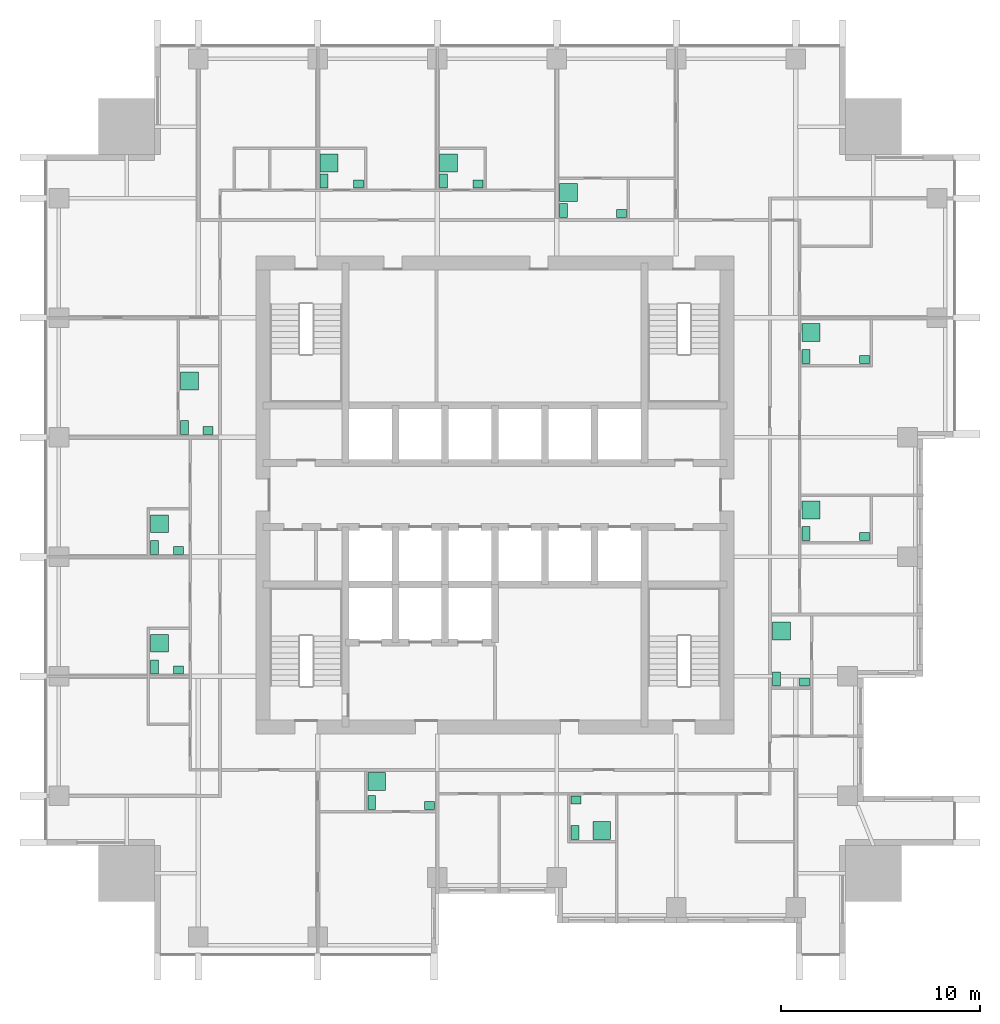
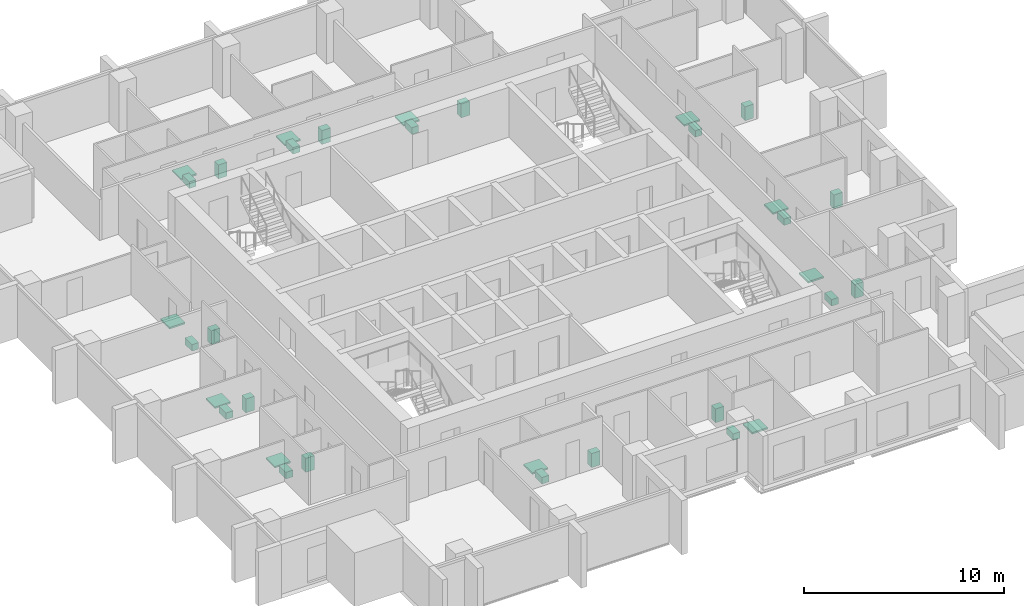
# One storey, part 10 of 10: 33 sanitary terminals.
"""IFC4 building model written with IfcOpenShell, lengths in metres."""

from ifc_helpers import new_model, si_unit, direction, frame, origin, origin_2d, place, context, subcontext, project, spatial, rectangle, extrude, element, save


model = new_model("IFC4")

# Units and contexts
model_context = context("Model", 3, precision=1e-05, world=origin(), true_north=direction((0.0, 1.0)))
body_context = subcontext(model_context, "Body", "Model", "MODEL_VIEW")
ifc_project = project(units=[si_unit("LENGTHUNIT", "METRE"), si_unit("AREAUNIT", "SQUARE_METRE"), si_unit("VOLUMEUNIT", "CUBIC_METRE"), si_unit("PLANEANGLEUNIT", "RADIAN"), si_unit("MASSUNIT", "GRAM", prefix="KILO")], contexts=[model_context])

# Site, building, storey
site_placement = place(None, origin())
site = spatial("IfcSite", under=ifc_project, at=site_placement, CompositionType="ELEMENT")
building_placement = place(site_placement, origin())
building = spatial("IfcBuilding", under=site, at=building_placement, Name="Amberfall Residences", CompositionType="ELEMENT")
storey_placement = place(building_placement, frame((0.0, 0.0, 137.199951171875)))
storey = spatial("IfcBuildingStorey", under=building, at=storey_placement, Name="L36", CompositionType="ELEMENT", Elevation=137.199951171875)

# Sanitary terminals
sanitary_terminal_1_placement = place(storey_placement, frame((68.31005859375, 30.06005859375, 0.0), z_axis=(0.0, 0.0, 1.0), x_axis=(1.0, 0.0, 0.0)))
element("IfcSanitaryTerminal", 1, at=sanitary_terminal_1_placement, inside=storey, Name="Water closet 3601", PredefinedType="TOILETPAN", context=body_context, shape_type="SweptSolid", body=[
    extrude(rectangle(XDim=0.39990234375, YDim=0.699951171875, at=origin_2d()), origin(), (0.0, 0.0, 1.0), 0.39990234375),
])
sanitary_terminal_2_placement = place(storey_placement, frame((71.215087890625, 29.909912109375, 0.0), z_axis=(0.0, 0.0, 1.0), x_axis=(1.0, 0.0, 0.0)))
element("IfcSanitaryTerminal", 2, at=sanitary_terminal_2_placement, inside=storey, Name="Basin 3601", PredefinedType="WASHHANDBASIN", context=body_context, shape_type="SweptSolid", body=[
    extrude(rectangle(XDim=0.5, YDim=0.39990234375, at=origin_2d()), origin(), (0.0, 0.0, 1.0), 0.85009765625),
])
sanitary_terminal_3_placement = place(storey_placement, frame((68.56005859375, 31.114990234375, 0.0), z_axis=(0.0, 0.0, 1.0), x_axis=(1.0, 0.0, 0.0)))
element("IfcSanitaryTerminal", 3, at=sanitary_terminal_3_placement, inside=storey, Name="Shower tray 3601", PredefinedType="SHOWER", context=body_context, shape_type="SweptSolid", body=[
    extrude(rectangle(XDim=0.89990234375, YDim=0.89990234375, at=origin_2d()), origin(), (0.0, 0.0, 1.0), 0.10009765625),
])
sanitary_terminal_4_placement = place(storey_placement, frame((78.510009765625, 28.56005859375, 0.0), z_axis=(0.0, 0.0, 1.0), x_axis=(1.0, 0.0, 0.0)))
element("IfcSanitaryTerminal", 4, at=sanitary_terminal_4_placement, inside=storey, Name="Water closet 3602", PredefinedType="TOILETPAN", context=body_context, shape_type="SweptSolid", body=[
    extrude(rectangle(XDim=0.39990234375, YDim=0.699951171875, at=origin_2d()), origin(), (0.0, 0.0, 1.0), 0.39990234375),
])
sanitary_terminal_5_placement = place(storey_placement, frame((78.56005859375, 30.18994140625, 0.0), z_axis=(0.0, 0.0, 1.0), x_axis=(1.0, 0.0, 0.0)))
element("IfcSanitaryTerminal", 5, at=sanitary_terminal_5_placement, inside=storey, Name="Basin 3602", PredefinedType="WASHHANDBASIN", context=body_context, shape_type="SweptSolid", body=[
    extrude(rectangle(XDim=0.5, YDim=0.39990234375, at=origin_2d()), origin(), (0.0, 0.0, 1.0), 0.85009765625),
])
sanitary_terminal_6_placement = place(storey_placement, frame((79.857177734375, 28.659912109375, 0.0), z_axis=(0.0, 0.0, 1.0), x_axis=(1.0, 0.0, 0.0)))
element("IfcSanitaryTerminal", 6, at=sanitary_terminal_6_placement, inside=storey, Name="Shower tray 3602", PredefinedType="SHOWER", context=body_context, shape_type="SweptSolid", body=[
    extrude(rectangle(XDim=0.89990234375, YDim=0.89990234375, at=origin_2d()), origin(), (0.0, 0.0, 1.0), 0.10009765625),
])
sanitary_terminal_7_placement = place(storey_placement, frame((88.635009765625, 36.260009765625, 0.0), z_axis=(0.0, 0.0, 1.0), x_axis=(1.0, 0.0, 0.0)))
element("IfcSanitaryTerminal", 7, at=sanitary_terminal_7_placement, inside=storey, Name="Water closet 3603", PredefinedType="TOILETPAN", context=body_context, shape_type="SweptSolid", body=[
    extrude(rectangle(XDim=0.39990234375, YDim=0.699951171875, at=origin_2d()), origin(), (0.0, 0.0, 1.0), 0.39990234375),
])
sanitary_terminal_8_placement = place(storey_placement, frame((90.0400390625, 36.110107421875, 0.0), z_axis=(0.0, 0.0, 1.0), x_axis=(1.0, 0.0, 0.0)))
element("IfcSanitaryTerminal", 8, at=sanitary_terminal_8_placement, inside=storey, Name="Basin 3603", PredefinedType="WASHHANDBASIN", context=body_context, shape_type="SweptSolid", body=[
    extrude(rectangle(XDim=0.5, YDim=0.39990234375, at=origin_2d()), origin(), (0.0, 0.0, 1.0), 0.85009765625),
])
sanitary_terminal_9_placement = place(storey_placement, frame((88.885009765625, 38.6826171875, 0.0), z_axis=(0.0, 0.0, 1.0), x_axis=(1.0, 0.0, 0.0)))
element("IfcSanitaryTerminal", 9, at=sanitary_terminal_9_placement, inside=storey, Name="Shower tray 3603", PredefinedType="SHOWER", context=body_context, shape_type="SweptSolid", body=[
    extrude(rectangle(XDim=0.89990234375, YDim=0.89990234375, at=origin_2d()), origin(), (0.0, 0.0, 1.0), 0.10009765625),
])
sanitary_terminal_10_placement = place(storey_placement, frame((90.110107421875, 43.56005859375, 0.0), z_axis=(0.0, 0.0, 1.0), x_axis=(1.0, 0.0, 0.0)))
element("IfcSanitaryTerminal", 10, at=sanitary_terminal_10_placement, inside=storey, Name="Water closet 3604", PredefinedType="TOILETPAN", context=body_context, shape_type="SweptSolid", body=[
    extrude(rectangle(XDim=0.39990234375, YDim=0.699951171875, at=origin_2d()), origin(), (0.0, 0.0, 1.0), 0.39990234375),
])
sanitary_terminal_11_placement = place(storey_placement, frame((93.0400390625, 43.409912109375, 0.0), z_axis=(0.0, 0.0, 1.0), x_axis=(1.0, 0.0, 0.0)))
element("IfcSanitaryTerminal", 11, at=sanitary_terminal_11_placement, inside=storey, Name="Basin 3604", PredefinedType="WASHHANDBASIN", context=body_context, shape_type="SweptSolid", body=[
    extrude(rectangle(XDim=0.5, YDim=0.39990234375, at=origin_2d()), origin(), (0.0, 0.0, 1.0), 0.85009765625),
])
sanitary_terminal_12_placement = place(storey_placement, frame((90.360107421875, 44.757080078125, 0.0), z_axis=(0.0, 0.0, 1.0), x_axis=(1.0, 0.0, 0.0)))
element("IfcSanitaryTerminal", 12, at=sanitary_terminal_12_placement, inside=storey, Name="Shower tray 3604", PredefinedType="SHOWER", context=body_context, shape_type="SweptSolid", body=[
    extrude(rectangle(XDim=0.89990234375, YDim=0.89990234375, at=origin_2d()), origin(), (0.0, 0.0, 1.0), 0.10009765625),
])
sanitary_terminal_13_placement = place(storey_placement, frame((90.110107421875, 52.4599609375, 0.0), z_axis=(0.0, 0.0, 1.0), x_axis=(1.0, 0.0, 0.0)))
element("IfcSanitaryTerminal", 13, at=sanitary_terminal_13_placement, inside=storey, Name="Water closet 3604", PredefinedType="TOILETPAN", context=body_context, shape_type="SweptSolid", body=[
    extrude(rectangle(XDim=0.39990234375, YDim=0.699951171875, at=origin_2d()), origin(), (0.0, 0.0, 1.0), 0.39990234375),
])
sanitary_terminal_14_placement = place(storey_placement, frame((93.0400390625, 52.31005859375, 0.0), z_axis=(0.0, 0.0, 1.0), x_axis=(1.0, 0.0, 0.0)))
element("IfcSanitaryTerminal", 14, at=sanitary_terminal_14_placement, inside=storey, Name="Basin 3604", PredefinedType="WASHHANDBASIN", context=body_context, shape_type="SweptSolid", body=[
    extrude(rectangle(XDim=0.5, YDim=0.39990234375, at=origin_2d()), origin(), (0.0, 0.0, 1.0), 0.85009765625),
])
sanitary_terminal_15_placement = place(storey_placement, frame((90.360107421875, 53.6572265625, 0.0), z_axis=(0.0, 0.0, 1.0), x_axis=(1.0, 0.0, 0.0)))
element("IfcSanitaryTerminal", 15, at=sanitary_terminal_15_placement, inside=storey, Name="Shower tray 3604", PredefinedType="SHOWER", context=body_context, shape_type="SweptSolid", body=[
    extrude(rectangle(XDim=0.89990234375, YDim=0.89990234375, at=origin_2d()), origin(), (0.0, 0.0, 1.0), 0.10009765625),
])
sanitary_terminal_16_placement = place(storey_placement, frame((65.909912109375, 61.260009765625, 0.0), z_axis=(0.0, 0.0, 1.0), x_axis=(1.0, 0.0, 0.0)))
element("IfcSanitaryTerminal", 16, at=sanitary_terminal_16_placement, inside=storey, Name="Water closet 3605", PredefinedType="TOILETPAN", context=body_context, shape_type="SweptSolid", body=[
    extrude(rectangle(XDim=0.39990234375, YDim=0.699951171875, at=origin_2d()), origin(), (0.0, 0.0, 1.0), 0.39990234375),
])
sanitary_terminal_17_placement = place(storey_placement, frame((67.639892578125, 61.110107421875, 0.0), z_axis=(0.0, 0.0, 1.0), x_axis=(1.0, 0.0, 0.0)))
element("IfcSanitaryTerminal", 17, at=sanitary_terminal_17_placement, inside=storey, Name="Basin 3605", PredefinedType="WASHHANDBASIN", context=body_context, shape_type="SweptSolid", body=[
    extrude(rectangle(XDim=0.5, YDim=0.39990234375, at=origin_2d()), origin(), (0.0, 0.0, 1.0), 0.85009765625),
])
sanitary_terminal_18_placement = place(storey_placement, frame((66.159912109375, 62.1767578125, 0.0), z_axis=(0.0, 0.0, 1.0), x_axis=(1.0, 0.0, 0.0)))
element("IfcSanitaryTerminal", 18, at=sanitary_terminal_18_placement, inside=storey, Name="Shower tray 3605", PredefinedType="SHOWER", context=body_context, shape_type="SweptSolid", body=[
    extrude(rectangle(XDim=0.89990234375, YDim=0.89990234375, at=origin_2d()), origin(), (0.0, 0.0, 1.0), 0.10009765625),
])
sanitary_terminal_19_placement = place(storey_placement, frame((71.909912109375, 61.260009765625, 0.0), z_axis=(0.0, 0.0, 1.0), x_axis=(1.0, 0.0, 0.0)))
element("IfcSanitaryTerminal", 19, at=sanitary_terminal_19_placement, inside=storey, Name="Water closet 3605", PredefinedType="TOILETPAN", context=body_context, shape_type="SweptSolid", body=[
    extrude(rectangle(XDim=0.39990234375, YDim=0.699951171875, at=origin_2d()), origin(), (0.0, 0.0, 1.0), 0.39990234375),
])
sanitary_terminal_20_placement = place(storey_placement, frame((73.639892578125, 61.110107421875, 0.0), z_axis=(0.0, 0.0, 1.0), x_axis=(1.0, 0.0, 0.0)))
element("IfcSanitaryTerminal", 20, at=sanitary_terminal_20_placement, inside=storey, Name="Basin 3605", PredefinedType="WASHHANDBASIN", context=body_context, shape_type="SweptSolid", body=[
    extrude(rectangle(XDim=0.5, YDim=0.39990234375, at=origin_2d()), origin(), (0.0, 0.0, 1.0), 0.85009765625),
])
sanitary_terminal_21_placement = place(storey_placement, frame((72.159912109375, 62.1767578125, 0.0), z_axis=(0.0, 0.0, 1.0), x_axis=(1.0, 0.0, 0.0)))
element("IfcSanitaryTerminal", 21, at=sanitary_terminal_21_placement, inside=storey, Name="Shower tray 3605", PredefinedType="SHOWER", context=body_context, shape_type="SweptSolid", body=[
    extrude(rectangle(XDim=0.89990234375, YDim=0.89990234375, at=origin_2d()), origin(), (0.0, 0.0, 1.0), 0.10009765625),
])
sanitary_terminal_22_placement = place(storey_placement, frame((77.93505859375, 59.784912109375, 0.0), z_axis=(0.0, 0.0, 1.0), x_axis=(1.0, 0.0, 0.0)))
element("IfcSanitaryTerminal", 22, at=sanitary_terminal_22_placement, inside=storey, Name="Water closet 3606", PredefinedType="TOILETPAN", context=body_context, shape_type="SweptSolid", body=[
    extrude(rectangle(XDim=0.39990234375, YDim=0.699951171875, at=origin_2d()), origin(), (0.0, 0.0, 1.0), 0.39990234375),
])
sanitary_terminal_23_placement = place(storey_placement, frame((80.840087890625, 59.635009765625, 0.0), z_axis=(0.0, 0.0, 1.0), x_axis=(1.0, 0.0, 0.0)))
element("IfcSanitaryTerminal", 23, at=sanitary_terminal_23_placement, inside=storey, Name="Basin 3606", PredefinedType="WASHHANDBASIN", context=body_context, shape_type="SweptSolid", body=[
    extrude(rectangle(XDim=0.5, YDim=0.39990234375, at=origin_2d()), origin(), (0.0, 0.0, 1.0), 0.85009765625),
])
sanitary_terminal_24_placement = place(storey_placement, frame((78.18505859375, 60.680908203125, 0.0), z_axis=(0.0, 0.0, 1.0), x_axis=(1.0, 0.0, 0.0)))
element("IfcSanitaryTerminal", 24, at=sanitary_terminal_24_placement, inside=storey, Name="Shower tray 3606", PredefinedType="SHOWER", context=body_context, shape_type="SweptSolid", body=[
    extrude(rectangle(XDim=0.89990234375, YDim=0.89990234375, at=origin_2d()), origin(), (0.0, 0.0, 1.0), 0.10009765625),
])
sanitary_terminal_25_placement = place(storey_placement, frame((57.409912109375, 36.860107421875, 0.0), z_axis=(0.0, 0.0, 1.0), x_axis=(1.0, 0.0, 0.0)))
element("IfcSanitaryTerminal", 25, at=sanitary_terminal_25_placement, inside=storey, Name="Water closet 3607", PredefinedType="TOILETPAN", context=body_context, shape_type="SweptSolid", body=[
    extrude(rectangle(XDim=0.39990234375, YDim=0.699951171875, at=origin_2d()), origin(), (0.0, 0.0, 1.0), 0.39990234375),
])
sanitary_terminal_26_placement = place(storey_placement, frame((58.610107421875, 36.7099609375, 0.0), z_axis=(0.0, 0.0, 1.0), x_axis=(1.0, 0.0, 0.0)))
element("IfcSanitaryTerminal", 26, at=sanitary_terminal_26_placement, inside=storey, Name="Basin 3607", PredefinedType="WASHHANDBASIN", context=body_context, shape_type="SweptSolid", body=[
    extrude(rectangle(XDim=0.5, YDim=0.39990234375, at=origin_2d()), origin(), (0.0, 0.0, 1.0), 0.85009765625),
])
sanitary_terminal_27_placement = place(storey_placement, frame((57.659912109375, 38.05712890625, 0.0), z_axis=(0.0, 0.0, 1.0), x_axis=(1.0, 0.0, 0.0)))
element("IfcSanitaryTerminal", 27, at=sanitary_terminal_27_placement, inside=storey, Name="Shower tray 3607", PredefinedType="SHOWER", context=body_context, shape_type="SweptSolid", body=[
    extrude(rectangle(XDim=0.89990234375, YDim=0.89990234375, at=origin_2d()), origin(), (0.0, 0.0, 1.0), 0.10009765625),
])
sanitary_terminal_28_placement = place(storey_placement, frame((57.409912109375, 42.860107421875, 0.0), z_axis=(0.0, 0.0, 1.0), x_axis=(1.0, 0.0, 0.0)))
element("IfcSanitaryTerminal", 28, at=sanitary_terminal_28_placement, inside=storey, Name="Water closet 3607", PredefinedType="TOILETPAN", context=body_context, shape_type="SweptSolid", body=[
    extrude(rectangle(XDim=0.39990234375, YDim=0.699951171875, at=origin_2d()), origin(), (0.0, 0.0, 1.0), 0.39990234375),
])
sanitary_terminal_29_placement = place(storey_placement, frame((58.610107421875, 42.7099609375, 0.0), z_axis=(0.0, 0.0, 1.0), x_axis=(1.0, 0.0, 0.0)))
element("IfcSanitaryTerminal", 29, at=sanitary_terminal_29_placement, inside=storey, Name="Basin 3607", PredefinedType="WASHHANDBASIN", context=body_context, shape_type="SweptSolid", body=[
    extrude(rectangle(XDim=0.5, YDim=0.39990234375, at=origin_2d()), origin(), (0.0, 0.0, 1.0), 0.85009765625),
])
sanitary_terminal_30_placement = place(storey_placement, frame((57.659912109375, 44.05712890625, 0.0), z_axis=(0.0, 0.0, 1.0), x_axis=(1.0, 0.0, 0.0)))
element("IfcSanitaryTerminal", 30, at=sanitary_terminal_30_placement, inside=storey, Name="Shower tray 3607", PredefinedType="SHOWER", context=body_context, shape_type="SweptSolid", body=[
    extrude(rectangle(XDim=0.89990234375, YDim=0.89990234375, at=origin_2d()), origin(), (0.0, 0.0, 1.0), 0.10009765625),
])
sanitary_terminal_31_placement = place(storey_placement, frame((58.909912109375, 48.885009765625, 0.0), z_axis=(0.0, 0.0, 1.0), x_axis=(1.0, 0.0, 0.0)))
element("IfcSanitaryTerminal", 31, at=sanitary_terminal_31_placement, inside=storey, Name="Water closet 3608", PredefinedType="TOILETPAN", context=body_context, shape_type="SweptSolid", body=[
    extrude(rectangle(XDim=0.39990234375, YDim=0.699951171875, at=origin_2d()), origin(), (0.0, 0.0, 1.0), 0.39990234375),
])
sanitary_terminal_32_placement = place(storey_placement, frame((60.089111328125, 48.735107421875, 0.0), z_axis=(0.0, 0.0, 1.0), x_axis=(1.0, 0.0, 0.0)))
element("IfcSanitaryTerminal", 32, at=sanitary_terminal_32_placement, inside=storey, Name="Basin 3608", PredefinedType="WASHHANDBASIN", context=body_context, shape_type="SweptSolid", body=[
    extrude(rectangle(XDim=0.5, YDim=0.39990234375, at=origin_2d()), origin(), (0.0, 0.0, 1.0), 0.85009765625),
])
sanitary_terminal_33_placement = place(storey_placement, frame((59.159912109375, 51.216796875, 0.0), z_axis=(0.0, 0.0, 1.0), x_axis=(1.0, 0.0, 0.0)))
element("IfcSanitaryTerminal", 33, at=sanitary_terminal_33_placement, inside=storey, Name="Shower tray 3608", PredefinedType="SHOWER", context=body_context, shape_type="SweptSolid", body=[
    extrude(rectangle(XDim=0.89990234375, YDim=0.89990234375, at=origin_2d()), origin(), (0.0, 0.0, 1.0), 0.10009765625),
])

save(model, "model.ifc")
